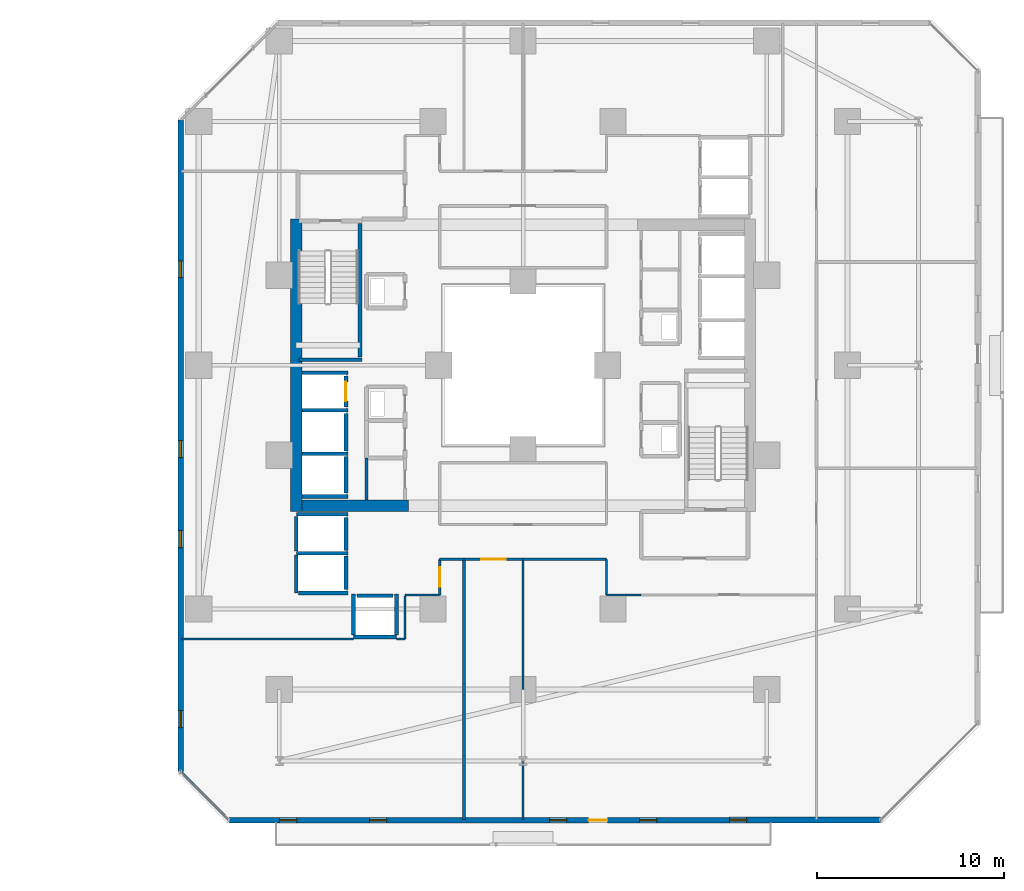
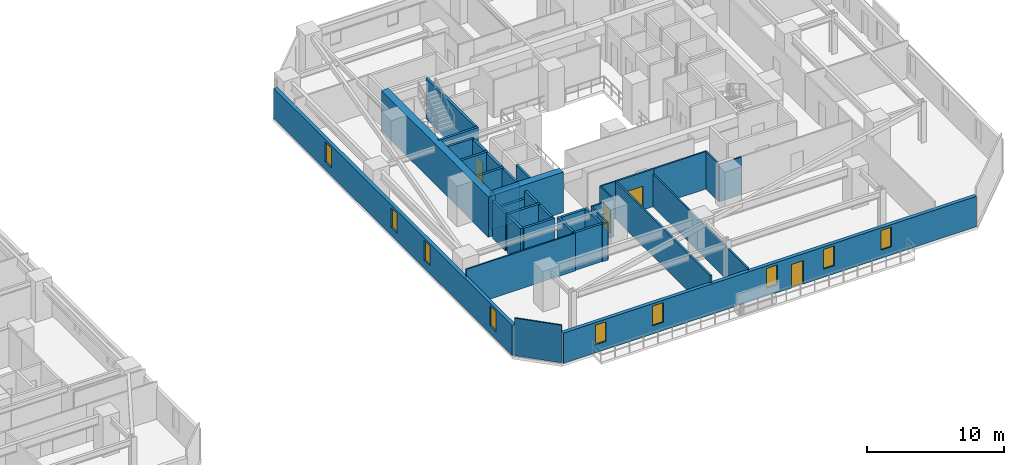
# One storey, part 22 of 33: 38 walls, 9 windows, 4 doors, 13 openings.
"""IFC4 building model written with IfcOpenShell, lengths in metres."""

from ifc_helpers import new_model, si_unit, direction, frame, frame_2d, origin, place, context, subcontext, project, spatial, rectangle, extrude, material, layer, layer_set, type_object, element, fill, save


model = new_model("IFC4")

# Units and contexts
model_context = context("Model", 3, precision=1e-05, world=origin(), true_north=direction((0.0, 1.0)))
body_context = subcontext(model_context, "Body", "Model", "MODEL_VIEW")
ifc_project = project(units=[si_unit("LENGTHUNIT", "METRE"), si_unit("AREAUNIT", "SQUARE_METRE"), si_unit("VOLUMEUNIT", "CUBIC_METRE"), si_unit("PLANEANGLEUNIT", "RADIAN"), si_unit("MASSUNIT", "GRAM", prefix="KILO")], contexts=[model_context])

# Site, building, storey
site_placement = place(None, origin())
site = spatial("IfcSite", under=ifc_project, at=site_placement, CompositionType="ELEMENT")
building_placement = place(site_placement, origin())
building = spatial("IfcBuilding", under=site, at=building_placement, Name="Thornwick Lancets Civic Towers", CompositionType="ELEMENT")
storey_placement = place(building_placement, frame((0.0, 0.0, 38.699951171875)))
storey = spatial("IfcBuildingStorey", under=building, at=storey_placement, Name="L09", CompositionType="ELEMENT", Elevation=38.699951171875)

# Wall, opening, door
ifc_material_1 = material(Name="Concrete blockwork C40/50", Category="masonry")
ifc_layer_1 = layer(ifc_material_1, 0.199951171875, Name="Concrete blockwork C40/50")
ifc_layer_set_1 = layer_set([ifc_layer_1], Name="Concrete blockwork C40/50")
wall_type_1 = type_object("IfcWallType", Name="WALL_COMP_200", PredefinedType="STANDARD", material=ifc_layer_set_1)
wall_1_placement = place(storey_placement, frame((79.050048828125, 24.780029296875, 0.0), z_axis=(0.0, 0.0, 1.0), x_axis=(0.0, 1.0, 0.0)))
wall_1 = element("IfcWall", 1, at=wall_1_placement, inside=storey, type_object=wall_type_1, Name="L09 Hoistway Front Wall FL-B2", PredefinedType="STANDARD", context=body_context, shape_type="SweptSolid", body=[
    extrude(rectangle(XDim=1.639892578125, YDim=0.199951171875, at=frame_2d((0.81982421875, 0.0))), origin(), (0.0, 0.0, 1.0), 3.340087890625),
])
opening_1_placement = place(wall_1_placement, frame((0.31005859375, 0.0, 0.0)))
opening_1 = element("IfcOpeningElement", 2, at=opening_1_placement, cuts=wall_1, Name="Opening LD-FL-B2", PredefinedType="OPENING", context=body_context, shape_type="SweptSolid", body=[
    extrude(rectangle(XDim=1.02001953125, YDim=2.06005859375, at=frame_2d((0.510009765625, 1.030029296875))), frame((0.0, 0.10986328125, 0.0), z_axis=(0.0, -1.0, 0.0), x_axis=(1.0, 0.0, 0.0)), (0.0, 0.0, 1.0), 0.219970703125),
])
ifc_material_2 = material(Name="Brushed bronze stainless steel", Category="steel")
door_type_1 = type_object("IfcDoorType", Name="DOOR_LIFT_SLIDE", OperationType="SLIDING_TO_LEFT", PredefinedType="DOOR", material=ifc_material_2)
door_1_placement = place(opening_1_placement, origin())
door_1 = element("IfcDoor", 3, at=door_1_placement, inside=storey, type_object=door_type_1, Name="L09 Sliding Lift Landing Door LD-FL-B2", OperationType="SLIDING_TO_LEFT", OverallHeight=2.06005859375, OverallWidth=1.02001953125, PredefinedType="DOOR", context=body_context, shape_type="SweptSolid", body=[
    extrude(rectangle(XDim=1.02001953125, YDim=2.06005859375, at=frame_2d((0.510009765625, 1.030029296875))), frame((0.0, 0.02490234375, 0.0), z_axis=(0.0, -1.0, 0.0), x_axis=(1.0, 0.0, 0.0)), (0.0, 0.0, 1.0), 0.050048828125),
])
fill(opening_1, door_1)

# Walls
wall_2_placement = place(storey_placement, frame((79.050048828125, 22.429931640625, 0.0), z_axis=(0.0, 0.0, 1.0), x_axis=(0.0, 1.0, 0.0)))
element("IfcWall", 4, at=wall_2_placement, inside=storey, type_object=wall_type_1, Name="L09 Hoistway Front Wall PL-BH2", PredefinedType="STANDARD", context=body_context, shape_type="SweptSolid", body=[
    extrude(rectangle(XDim=1.989990234375, YDim=0.199951171875, at=frame_2d((0.9951171875, 0.0))), origin(), (0.0, 0.0, 1.0), 3.340087890625),
])
wall_3_placement = place(storey_placement, frame((79.050048828125, 20.179931640625, 0.0), z_axis=(0.0, 0.0, 1.0), x_axis=(0.0, 1.0, 0.0)))
element("IfcWall", 5, at=wall_3_placement, inside=storey, type_object=wall_type_1, Name="L09 Hoistway Front Wall PL-BH3", PredefinedType="STANDARD", context=body_context, shape_type="SweptSolid", body=[
    extrude(rectangle(XDim=1.940185546875, YDim=0.199951171875, at=frame_2d((0.97021484375, 0.0))), origin(), (0.0, 0.0, 1.0), 3.340087890625),
])
wall_4_placement = place(storey_placement, frame((79.050048828125, 17.1298828125, 0.0), z_axis=(0.0, 0.0, 1.0), x_axis=(0.0, 1.0, 0.0)))
element("IfcWall", 6, at=wall_4_placement, inside=storey, type_object=wall_type_1, Name="L09 Hoistway Front Wall PL-BM1", PredefinedType="STANDARD", context=body_context, shape_type="SweptSolid", body=[
    extrude(rectangle(XDim=1.740234375, YDim=0.199951171875, at=frame_2d((0.8701171875, 0.0))), origin(), (0.0, 0.0, 1.0), 3.340087890625),
])
wall_5_placement = place(storey_placement, frame((79.050048828125, 15.030029296875, 0.0), z_axis=(0.0, 0.0, 1.0), x_axis=(0.0, 1.0, 0.0)))
element("IfcWall", 7, at=wall_5_placement, inside=storey, type_object=wall_type_1, Name="L09 Hoistway Front Wall PL-BM2", PredefinedType="STANDARD", context=body_context, shape_type="SweptSolid", body=[
    extrude(rectangle(XDim=1.7900390625, YDim=0.199951171875, at=frame_2d((0.89501953125, 0.0))), origin(), (0.0, 0.0, 1.0), 3.340087890625),
])
wall_6_placement = place(storey_placement, frame((79.6298828125, 14.699951171875, 0.0), z_axis=(0.0, 0.0, 1.0), x_axis=(1.0, 0.0, 0.0)))
element("IfcWall", 8, at=wall_6_placement, inside=storey, type_object=wall_type_1, Name="L09 Hoistway Front Wall PL-BM3", PredefinedType="STANDARD", context=body_context, shape_type="SweptSolid", body=[
    extrude(rectangle(XDim=1.940185546875, YDim=0.199951171875, at=frame_2d((0.97021484375, 0.0))), origin(), (0.0, 0.0, 1.0), 3.340087890625),
])
for number, where, z_axis, x_axis, name in (
    (9, (76.7119140625, 26.60009765625, 0.0), (0.0, 0.0, 1.0), (1.0, 0.0, 0.0), "L09 Hoistway Shaft Wall FL-B2 N"),
    (10, (76.7119140625, 24.60009765625, 0.0), (0.0, 0.0, 1.0), (1.0, 0.0, 0.0), "L09 Hoistway Shaft Wall FL-B2 S"),
    (11, (76.7119140625, 22.27490234375, 0.0), (0.0, 0.0, 1.0), (1.0, 0.0, 0.0), "L09 Hoistway Shaft Wall PL-BH2 S"),
    (12, (76.7119140625, 20.0, 0.0), (0.0, 0.0, 1.0), (1.0, 0.0, 0.0), "L09 Hoistway Shaft Wall PL-BH3 S"),
):
    element("IfcWall", number, at=place(storey_placement, frame(where, z_axis=z_axis, x_axis=x_axis)), inside=storey, type_object=wall_type_1, Name=name, PredefinedType="STANDARD", context=body_context, shape_type="SweptSolid", body=[
        extrude(rectangle(XDim=2.43603515625, YDim=0.199951171875, at=frame_2d((1.218017578125, 0.0))), origin(), (0.0, 0.0, 1.0), 3.340087890625),
    ])
wall_7_placement = place(storey_placement, frame((76.402099609375, 19.050048828125, 0.0), z_axis=(0.0, 0.0, 1.0), x_axis=(1.0, 0.0, 0.0)))
element("IfcWall", 13, at=wall_7_placement, inside=storey, type_object=wall_type_1, Name="L09 Hoistway Shaft Wall PL-BM1 N", PredefinedType="STANDARD", context=body_context, shape_type="SweptSolid", body=[
    extrude(rectangle(XDim=2.745849609375, YDim=0.199951171875, at=frame_2d((1.373046875, 0.0))), origin(), (0.0, 0.0, 1.0), 2.545166015625),
])
wall_8_placement = place(storey_placement, frame((76.402099609375, 16.97509765625, 0.0), z_axis=(0.0, 0.0, 1.0), x_axis=(1.0, 0.0, 0.0)))
element("IfcWall", 14, at=wall_8_placement, inside=storey, type_object=wall_type_1, Name="L09 Hoistway Shaft Wall PL-BM1 S", PredefinedType="STANDARD", context=body_context, shape_type="SweptSolid", body=[
    extrude(rectangle(XDim=2.745849609375, YDim=0.199951171875, at=frame_2d((1.373046875, 0.0))), origin(), (0.0, 0.0, 1.0), 3.340087890625),
])
wall_9_placement = place(storey_placement, frame((76.39990234375, 14.85205078125, 0.0), z_axis=(0.0, 0.0, 1.0), x_axis=(0.0, 1.0, 0.0)))
element("IfcWall", 15, at=wall_9_placement, inside=storey, type_object=wall_type_1, Name="L09 Hoistway Shaft Wall PL-BM1 W", PredefinedType="STANDARD", context=body_context, shape_type="SweptSolid", body=[
    extrude(rectangle(XDim=2.015869140625, YDim=0.199951171875, at=frame_2d((1.0078125, 0.0))), origin(), (0.0, 0.0, 1.0), 3.340087890625),
])
wall_10_placement = place(storey_placement, frame((76.39990234375, 17.08203125, 0.0), z_axis=(0.0, 0.0, 1.0), x_axis=(0.0, 1.0, 0.0)))
element("IfcWall", 16, at=wall_10_placement, inside=storey, type_object=wall_type_1, Name="L09 Hoistway Shaft Wall PL-BM1 W", PredefinedType="STANDARD", context=body_context, shape_type="SweptSolid", body=[
    extrude(rectangle(XDim=1.85595703125, YDim=0.199951171875, at=frame_2d((0.927978515625, 0.0))), origin(), (0.0, 0.0, 1.0), 3.340087890625),
])
wall_11_placement = place(storey_placement, frame((76.511962890625, 14.85009765625, 0.0), z_axis=(0.0, 0.0, 1.0), x_axis=(1.0, 0.0, 0.0)))
element("IfcWall", 17, at=wall_11_placement, inside=storey, type_object=wall_type_1, Name="L09 Hoistway Shaft Wall PL-BM2 S", PredefinedType="STANDARD", context=body_context, shape_type="SweptSolid", body=[
    extrude(rectangle(XDim=2.635986328125, YDim=0.199951171875, at=frame_2d((1.31787109375, 0.0))), origin(), (0.0, 0.0, 1.0), 3.340087890625),
])
wall_12_placement = place(storey_placement, frame((79.451904296875, 12.5, 0.0), z_axis=(0.0, 0.0, 1.0), x_axis=(1.0, 0.0, 0.0)))
element("IfcWall", 18, at=wall_12_placement, inside=storey, type_object=wall_type_1, Name="L09 Hoistway Shaft Wall PL-BM3 S", PredefinedType="STANDARD", context=body_context, shape_type="SweptSolid", body=[
    extrude(rectangle(XDim=2.296142578125, YDim=0.199951171875, at=frame_2d((1.14794921875, 0.0))), origin(), (0.0, 0.0, 1.0), 3.340087890625),
])
for number, where, z_axis, x_axis, name in (
    (19, (81.75, 12.612060546875, 0.0), (0.0, 0.0, 1.0), (0.0, 1.0, 0.0), "L09 Hoistway Shaft Wall PL-BM3 E"),
    (20, (79.449951171875, 12.612060546875, 0.0), (0.0, 0.0, 1.0), (0.0, 1.0, 0.0), "L09 Hoistway Shaft Wall PL-BM3 W"),
):
    element("IfcWall", number, at=place(storey_placement, frame(where, z_axis=z_axis, x_axis=x_axis)), inside=storey, type_object=wall_type_1, Name=name, PredefinedType="STANDARD", context=body_context, shape_type="SweptSolid", body=[
        extrude(rectangle(XDim=2.18603515625, YDim=0.199951171875, at=frame_2d((1.093017578125, 0.0))), origin(), (0.0, 0.0, 1.0), 3.340087890625),
    ])
ifc_material_3 = material(Name="Concrete C60/75", Category="concrete")
ifc_layer_2 = layer(ifc_material_3, 0.60009765625, Name="Concrete C60/75")
ifc_layer_set_2 = layer_set([ifc_layer_2], Name="Concrete C60/75")
wall_type_2 = type_object("IfcWallType", Name="WALL_CORE_600", PredefinedType="SHEAR", material=ifc_layer_set_2)
wall_13_placement = place(storey_placement, frame((76.39990234375, 19.199951171875, 0.0), z_axis=(0.0, 0.0, 1.0), x_axis=(0.0, 1.0, 0.0)))
element("IfcWall", 21, at=wall_13_placement, inside=storey, type_object=wall_type_2, Name="L09 Split Core B2 Shear Wall W", PredefinedType="SHEAR", context=body_context, shape_type="SweptSolid", body=[
    extrude(rectangle(XDim=15.60009765625, YDim=0.60009765625, at=frame_2d((7.800048828125, 0.0))), origin(), (0.0, 0.0, 1.0), 3.60009765625),
])
wall_14_placement = place(storey_placement, frame((76.699951171875, 19.5, 0.0), z_axis=(0.0, 0.0, 1.0), x_axis=(1.0, 0.0, 0.0)))
element("IfcWall", 22, at=wall_14_placement, inside=storey, type_object=wall_type_2, Name="L09 Split Core B2 Shear Wall S", PredefinedType="SHEAR", context=body_context, shape_type="SweptSolid", body=[
    extrude(rectangle(XDim=5.699951171875, YDim=0.60009765625, at=frame_2d((2.85009765625, 0.0))), origin(), (0.0, 0.0, 1.0), 3.60009765625),
])

# Wall, openings, door, windows
ifc_material_4 = material(Name="Insulated russet terracotta rainscreen on concrete C40/50", Category="masonry")
ifc_layer_3 = layer(ifc_material_4, 0.300048828125, Name="Insulated russet terracotta rainscreen on concrete C40/50")
ifc_layer_set_3 = layer_set([ifc_layer_3], Name="Insulated russet terracotta rainscreen on concrete C40/50")
wall_type_3 = type_object("IfcWallType", Name="WALL_EXT_RUSSET_300", PredefinedType="STANDARD", material=ifc_layer_set_3)
wall_15_placement = place(storey_placement, frame((72.81884765625, 2.735107421875, 0.0), z_axis=(0.0, 0.0, 1.0), x_axis=(0.999999969775, 0.000245864205, 0.0)))
wall_15 = element("IfcWall", 23, at=wall_15_placement, inside=storey, type_object=wall_type_3, Name="L09 Tower B Terracotta Facade Wall E0", PredefinedType="STANDARD", context=body_context, shape_type="SweptSolid", body=[
    extrude(rectangle(XDim=34.754638671875, YDim=0.300048828125, at=frame_2d((17.37744140625, 0.0))), origin(), (0.0, 0.0, 1.0), 2.699951171875),
])
opening_2_placement = place(wall_15_placement, frame((19.17724609375, 0.0, 0.0)))
opening_2 = element("IfcOpeningElement", 24, at=opening_2_placement, cuts=wall_15, Name="Opening D-BL-L09-BS", PredefinedType="OPENING", context=body_context, shape_type="SweptSolid", body=[
    extrude(rectangle(XDim=1.0, YDim=2.080078125, at=frame_2d((0.5, 1.0400390625))), frame((0.0, 0.16015625, 0.0), z_axis=(0.0, -1.0, 0.0), x_axis=(1.0, 0.0, 0.0)), (0.0, 0.0, 1.0), 0.320068359375),
])
opening_3_placement = place(wall_15_placement, frame((2.699951171875, 0.0, 0.719970703125)))
opening_3 = element("IfcOpeningElement", 25, at=opening_3_placement, cuts=wall_15, Name="Opening WL-01", PredefinedType="OPENING", context=body_context, shape_type="SweptSolid", body=[
    extrude(rectangle(XDim=0.89990234375, YDim=1.75, at=frame_2d((0.449951171875, 0.875))), frame((0.0, 0.16015625, 0.0), z_axis=(0.0, -1.0, 0.0), x_axis=(1.0, 0.0, 0.0)), (0.0, 0.0, 1.0), 0.320068359375),
])
opening_4_placement = place(wall_15_placement, frame((7.5, 0.0, 0.719970703125)))
opening_4 = element("IfcOpeningElement", 26, at=opening_4_placement, cuts=wall_15, Name="Opening WL-01", PredefinedType="OPENING", context=body_context, shape_type="SweptSolid", body=[
    extrude(rectangle(XDim=0.89990234375, YDim=1.75, at=frame_2d((0.449951171875, 0.875))), frame((0.0, 0.16015625, 0.0), z_axis=(0.0, -1.0, 0.0), x_axis=(1.0, 0.0, 0.0)), (0.0, 0.0, 1.0), 0.320068359375),
])
opening_5_placement = place(wall_15_placement, frame((17.10009765625, 0.0, 0.719970703125)))
opening_5 = element("IfcOpeningElement", 27, at=opening_5_placement, cuts=wall_15, Name="Opening WL-01", PredefinedType="OPENING", context=body_context, shape_type="SweptSolid", body=[
    extrude(rectangle(XDim=0.89990234375, YDim=1.75, at=frame_2d((0.449951171875, 0.875))), frame((0.0, 0.16015625, 0.0), z_axis=(0.0, -1.0, 0.0), x_axis=(1.0, 0.0, 0.0)), (0.0, 0.0, 1.0), 0.320068359375),
])
opening_6_placement = place(wall_15_placement, frame((21.89990234375, 0.0, 0.719970703125)))
opening_6 = element("IfcOpeningElement", 28, at=opening_6_placement, cuts=wall_15, Name="Opening WL-01", PredefinedType="OPENING", context=body_context, shape_type="SweptSolid", body=[
    extrude(rectangle(XDim=0.89990234375, YDim=1.75, at=frame_2d((0.449951171875, 0.875))), frame((0.0, 0.16015625, 0.0), z_axis=(0.0, -1.0, 0.0), x_axis=(1.0, 0.0, 0.0)), (0.0, 0.0, 1.0), 0.320068359375),
])
opening_7_placement = place(wall_15_placement, frame((26.699951171875, 0.0, 0.719970703125)))
opening_7 = element("IfcOpeningElement", 29, at=opening_7_placement, cuts=wall_15, Name="Opening WL-01", PredefinedType="OPENING", context=body_context, shape_type="SweptSolid", body=[
    extrude(rectangle(XDim=0.89990234375, YDim=1.75, at=frame_2d((0.449951171875, 0.875))), frame((0.0, 0.16015625, 0.0), z_axis=(0.0, -1.0, 0.0), x_axis=(1.0, 0.0, 0.0)), (0.0, 0.0, 1.0), 0.320068359375),
])
ifc_material_5 = material(Name="Thermally broken glazed loggia doorset")
door_type_2 = type_object("IfcDoorType", Name="DOOR_BALC_1000", OperationType="NOTDEFINED", PredefinedType="DOOR", material=ifc_material_5)
door_2_placement = place(opening_2_placement, origin())
door_2 = element("IfcDoor", 30, at=door_2_placement, inside=storey, type_object=door_type_2, Name="L09 Tower B Loggia Balcony Door S", OperationType="SINGLE_SWING_RIGHT", OverallHeight=2.080078125, OverallWidth=1.0, PredefinedType="DOOR", context=body_context, shape_type="SweptSolid", body=[
    extrude(rectangle(XDim=1.0, YDim=2.080078125, at=frame_2d((0.5, 1.0400390625))), frame((0.0, 0.02490234375, 0.0), z_axis=(0.0, -1.0, 0.0), x_axis=(1.0, 0.0, 0.0)), (0.0, 0.0, 1.0), 0.050048828125),
])
fill(opening_2, door_2)
ifc_material_6 = material(Name="Clear low-e double glazing in bronze frame", Category="glass")
window_type = type_object("IfcWindowType", Name="WIN_LANCET_900", PartitioningType="SINGLE_PANEL", PredefinedType="WINDOW", material=ifc_material_6)
window_1_placement = place(opening_3_placement, origin())
window_1 = element("IfcWindow", 31, at=window_1_placement, inside=storey, type_object=window_type, Name="L09 Tower B Staggered Lancet Window E0-1", OverallHeight=1.75, OverallWidth=0.89990234375, PartitioningType="SINGLE_PANEL", PredefinedType="WINDOW", context=body_context, shape_type="SweptSolid", body=[
    extrude(rectangle(XDim=0.89990234375, YDim=1.75, at=frame_2d((0.449951171875, 0.875))), frame((0.0, 0.030029296875, 0.0), z_axis=(0.0, -1.0, 0.0), x_axis=(1.0, 0.0, 0.0)), (0.0, 0.0, 1.0), 0.06005859375),
])
fill(opening_3, window_1)
window_2_placement = place(opening_4_placement, origin())
window_2 = element("IfcWindow", 32, at=window_2_placement, inside=storey, type_object=window_type, Name="L09 Tower B Staggered Lancet Window E0-2", OverallHeight=1.75, OverallWidth=0.89990234375, PartitioningType="SINGLE_PANEL", PredefinedType="WINDOW", context=body_context, shape_type="SweptSolid", body=[
    extrude(rectangle(XDim=0.89990234375, YDim=1.75, at=frame_2d((0.449951171875, 0.875))), frame((0.0, 0.030029296875, 0.0), z_axis=(0.0, -1.0, 0.0), x_axis=(1.0, 0.0, 0.0)), (0.0, 0.0, 1.0), 0.06005859375),
])
fill(opening_4, window_2)
window_3_placement = place(opening_5_placement, origin())
window_3 = element("IfcWindow", 33, at=window_3_placement, inside=storey, type_object=window_type, Name="L09 Tower B Staggered Lancet Window E0-3", OverallHeight=1.75, OverallWidth=0.89990234375, PartitioningType="SINGLE_PANEL", PredefinedType="WINDOW", context=body_context, shape_type="SweptSolid", body=[
    extrude(rectangle(XDim=0.89990234375, YDim=1.75, at=frame_2d((0.449951171875, 0.875))), frame((0.0, 0.030029296875, 0.0), z_axis=(0.0, -1.0, 0.0), x_axis=(1.0, 0.0, 0.0)), (0.0, 0.0, 1.0), 0.06005859375),
])
fill(opening_5, window_3)
window_4_placement = place(opening_6_placement, origin())
window_4 = element("IfcWindow", 34, at=window_4_placement, inside=storey, type_object=window_type, Name="L09 Tower B Staggered Lancet Window E0-4", OverallHeight=1.75, OverallWidth=0.89990234375, PartitioningType="SINGLE_PANEL", PredefinedType="WINDOW", context=body_context, shape_type="SweptSolid", body=[
    extrude(rectangle(XDim=0.89990234375, YDim=1.75, at=frame_2d((0.449951171875, 0.875))), frame((0.0, 0.030029296875, 0.0), z_axis=(0.0, -1.0, 0.0), x_axis=(1.0, 0.0, 0.0)), (0.0, 0.0, 1.0), 0.06005859375),
])
fill(opening_6, window_4)
window_5_placement = place(opening_7_placement, origin())
window_5 = element("IfcWindow", 35, at=window_5_placement, inside=storey, type_object=window_type, Name="L09 Tower B Staggered Lancet Window E0-5", OverallHeight=1.75, OverallWidth=0.89990234375, PartitioningType="SINGLE_PANEL", PredefinedType="WINDOW", context=body_context, shape_type="SweptSolid", body=[
    extrude(rectangle(XDim=0.89990234375, YDim=1.75, at=frame_2d((0.449951171875, 0.875))), frame((0.0, 0.030029296875, 0.0), z_axis=(0.0, -1.0, 0.0), x_axis=(1.0, 0.0, 0.0)), (0.0, 0.0, 1.0), 0.06005859375),
])
fill(opening_7, window_5)

# Wall, openings, windows
wall_16_placement = place(storey_placement, frame((70.24365234375, 40.073486328125, 0.0), z_axis=(0.0, 0.0, 1.0), x_axis=(-0.000245864205, -0.999999969775, 0.0)))
wall_16 = element("IfcWall", 36, at=wall_16_placement, inside=storey, type_object=wall_type_3, Name="L09 Tower B Terracotta Facade Wall E6", PredefinedType="STANDARD", context=body_context, shape_type="SweptSolid", body=[
    extrude(rectangle(XDim=34.754638671875, YDim=0.300048828125, at=frame_2d((17.37744140625, 0.0))), origin(), (0.0, 0.0, 1.0), 2.699951171875),
])
opening_8_placement = place(wall_16_placement, frame((7.5, 0.0, 0.719970703125)))
opening_8 = element("IfcOpeningElement", 37, at=opening_8_placement, cuts=wall_16, Name="Opening WL-01", PredefinedType="OPENING", context=body_context, shape_type="SweptSolid", body=[
    extrude(rectangle(XDim=0.89990234375, YDim=1.75, at=frame_2d((0.449951171875, 0.875))), frame((0.0, 0.16015625, 0.0), z_axis=(0.0, -1.0, 0.0), x_axis=(1.0, 0.0, 0.0)), (0.0, 0.0, 1.0), 0.320068359375),
])
opening_9_placement = place(wall_16_placement, frame((17.10009765625, 0.0, 0.719970703125)))
opening_9 = element("IfcOpeningElement", 38, at=opening_9_placement, cuts=wall_16, Name="Opening WL-01", PredefinedType="OPENING", context=body_context, shape_type="SweptSolid", body=[
    extrude(rectangle(XDim=0.89990234375, YDim=1.75, at=frame_2d((0.449951171875, 0.875))), frame((0.0, 0.16015625, 0.0), z_axis=(0.0, -1.0, 0.0), x_axis=(1.0, 0.0, 0.0)), (0.0, 0.0, 1.0), 0.320068359375),
])
opening_10_placement = place(wall_16_placement, frame((21.89990234375, 0.0, 0.719970703125)))
opening_10 = element("IfcOpeningElement", 39, at=opening_10_placement, cuts=wall_16, Name="Opening WL-01", PredefinedType="OPENING", context=body_context, shape_type="SweptSolid", body=[
    extrude(rectangle(XDim=0.89990234375, YDim=1.75, at=frame_2d((0.449951171875, 0.875))), frame((0.0, 0.16015625, 0.0), z_axis=(0.0, -1.0, 0.0), x_axis=(1.0, 0.0, 0.0)), (0.0, 0.0, 1.0), 0.320068359375),
])
opening_11_placement = place(wall_16_placement, frame((31.5, 0.0, 0.719970703125)))
opening_11 = element("IfcOpeningElement", 40, at=opening_11_placement, cuts=wall_16, Name="Opening WL-01", PredefinedType="OPENING", context=body_context, shape_type="SweptSolid", body=[
    extrude(rectangle(XDim=0.89990234375, YDim=1.75, at=frame_2d((0.449951171875, 0.875))), frame((0.0, 0.16015625, 0.0), z_axis=(0.0, -1.0, 0.0), x_axis=(1.0, 0.0, 0.0)), (0.0, 0.0, 1.0), 0.320068359375),
])
window_6_placement = place(opening_8_placement, origin())
window_6 = element("IfcWindow", 41, at=window_6_placement, inside=storey, type_object=window_type, Name="L09 Tower B Staggered Lancet Window E6-1", OverallHeight=1.75, OverallWidth=0.89990234375, PartitioningType="SINGLE_PANEL", PredefinedType="WINDOW", context=body_context, shape_type="SweptSolid", body=[
    extrude(rectangle(XDim=0.89990234375, YDim=1.75, at=frame_2d((0.449951171875, 0.875))), frame((0.0, 0.030029296875, 0.0), z_axis=(0.0, -1.0, 0.0), x_axis=(1.0, 0.0, 0.0)), (0.0, 0.0, 1.0), 0.06005859375),
])
fill(opening_8, window_6)
window_7_placement = place(opening_9_placement, origin())
window_7 = element("IfcWindow", 42, at=window_7_placement, inside=storey, type_object=window_type, Name="L09 Tower B Staggered Lancet Window E6-2", OverallHeight=1.75, OverallWidth=0.89990234375, PartitioningType="SINGLE_PANEL", PredefinedType="WINDOW", context=body_context, shape_type="SweptSolid", body=[
    extrude(rectangle(XDim=0.89990234375, YDim=1.75, at=frame_2d((0.449951171875, 0.875))), frame((0.0, 0.030029296875, 0.0), z_axis=(0.0, -1.0, 0.0), x_axis=(1.0, 0.0, 0.0)), (0.0, 0.0, 1.0), 0.06005859375),
])
fill(opening_9, window_7)
window_8_placement = place(opening_10_placement, origin())
window_8 = element("IfcWindow", 43, at=window_8_placement, inside=storey, type_object=window_type, Name="L09 Tower B Staggered Lancet Window E6-3", OverallHeight=1.75, OverallWidth=0.89990234375, PartitioningType="SINGLE_PANEL", PredefinedType="WINDOW", context=body_context, shape_type="SweptSolid", body=[
    extrude(rectangle(XDim=0.89990234375, YDim=1.75, at=frame_2d((0.449951171875, 0.875))), frame((0.0, 0.030029296875, 0.0), z_axis=(0.0, -1.0, 0.0), x_axis=(1.0, 0.0, 0.0)), (0.0, 0.0, 1.0), 0.06005859375),
])
fill(opening_10, window_8)
window_9_placement = place(opening_11_placement, origin())
window_9 = element("IfcWindow", 44, at=window_9_placement, inside=storey, type_object=window_type, Name="L09 Tower B Staggered Lancet Window E6-4", OverallHeight=1.75, OverallWidth=0.89990234375, PartitioningType="SINGLE_PANEL", PredefinedType="WINDOW", context=body_context, shape_type="SweptSolid", body=[
    extrude(rectangle(XDim=0.89990234375, YDim=1.75, at=frame_2d((0.449951171875, 0.875))), frame((0.0, 0.030029296875, 0.0), z_axis=(0.0, -1.0, 0.0), x_axis=(1.0, 0.0, 0.0)), (0.0, 0.0, 1.0), 0.06005859375),
])
fill(opening_11, window_9)

# Walls
ifc_material_7 = material(Name="Acoustic gypsum board partition")
ifc_layer_4 = layer(ifc_material_7, 0.1201171875, Name="Acoustic gypsum board partition")
ifc_layer_set_4 = layer_set([ifc_layer_4], Name="Acoustic gypsum board partition")
wall_type_4 = type_object("IfcWallType", Name="WALL_PART_120", PredefinedType="PARTITIONING", material=ifc_layer_set_4)
wall_17_placement = place(storey_placement, frame((92.949951171875, 16.64990234375, 0.0), z_axis=(0.0, 0.0, 1.0), x_axis=(0.0, -1.0, 0.0)))
element("IfcWall", 45, at=wall_17_placement, inside=storey, type_object=wall_type_4, Name="L09 Partition L09-B-W1 E1", PredefinedType="PARTITIONING", context=body_context, shape_type="SweptSolid", body=[
    extrude(rectangle(XDim=1.89990234375, YDim=0.1201171875, at=frame_2d((0.949951171875, 0.0))), origin(), (0.0, 0.0, 1.0), 3.340087890625),
])
wall_18_placement = place(storey_placement, frame((92.949951171875, 14.75, 0.0), z_axis=(0.0, 0.0, 1.0), x_axis=(1.0, 0.0, 0.0)))
element("IfcWall", 46, at=wall_18_placement, inside=storey, type_object=wall_type_4, Name="L09 Partition L09-B-W1 E2", PredefinedType="PARTITIONING", context=body_context, shape_type="SweptSolid", body=[
    extrude(rectangle(XDim=1.85009765625, YDim=0.1201171875, at=frame_2d((0.925048828125, 0.0))), origin(), (0.0, 0.0, 1.0), 3.340087890625),
])
wall_19_placement = place(storey_placement, frame((88.5, 2.780029296875, 0.0), z_axis=(0.0, 0.0, 1.0), x_axis=(0.0, 1.0, 0.0)))
element("IfcWall", 47, at=wall_19_placement, inside=storey, type_object=wall_type_4, Name="L09 Partition L09-B-W1 E6", PredefinedType="PARTITIONING", context=body_context, shape_type="SweptSolid", body=[
    extrude(rectangle(XDim=13.869873046875, YDim=0.1201171875, at=frame_2d((6.93505859375, 0.0))), origin(), (0.0, 0.0, 1.0), 2.881591796875),
])
wall_20_placement = place(storey_placement, frame((88.5, 16.64990234375, 0.0), z_axis=(0.0, 0.0, 1.0), x_axis=(1.0, 0.0, 0.0)))
element("IfcWall", 48, at=wall_20_placement, inside=storey, type_object=wall_type_4, Name="L09 Partition L09-B-W1 E7", PredefinedType="PARTITIONING", context=body_context, shape_type="SweptSolid", body=[
    extrude(rectangle(XDim=4.449951171875, YDim=0.1201171875, at=frame_2d((2.22509765625, 0.0))), origin(), (0.0, 0.0, 1.0), 3.340087890625),
])
wall_21_placement = place(storey_placement, frame((82.199951171875, 14.75, 0.0), z_axis=(0.0, 0.0, 1.0), x_axis=(1.0, 0.0, 0.0)))
element("IfcWall", 49, at=wall_21_placement, inside=storey, type_object=wall_type_4, Name="L09 Partition L09-B-W3 E2", PredefinedType="PARTITIONING", context=body_context, shape_type="SweptSolid", body=[
    extrude(rectangle(XDim=1.85009765625, YDim=0.1201171875, at=frame_2d((0.925048828125, 0.0))), origin(), (0.0, 0.0, 1.0), 3.340087890625),
])

# Wall, opening, door
wall_22_placement = place(storey_placement, frame((84.050048828125, 14.75, 0.0), z_axis=(0.0, 0.0, 1.0), x_axis=(0.0, 1.0, 0.0)))
wall_22 = element("IfcWall", 50, at=wall_22_placement, inside=storey, type_object=wall_type_4, Name="L09 Partition L09-B-W3 E3", PredefinedType="PARTITIONING", context=body_context, shape_type="SweptSolid", body=[
    extrude(rectangle(XDim=1.89990234375, YDim=0.1201171875, at=frame_2d((0.949951171875, 0.0))), origin(), (0.0, 0.0, 1.0), 3.340087890625),
])
opening_12_placement = place(wall_22_placement, frame((0.425048828125, 0.0, 0.0)))
opening_12 = element("IfcOpeningElement", 51, at=opening_12_placement, cuts=wall_22, Name="Opening D-L09-0474", PredefinedType="OPENING", context=body_context, shape_type="SweptSolid", body=[
    extrude(rectangle(XDim=1.050048828125, YDim=2.10009765625, at=frame_2d((0.52490234375, 1.050048828125))), frame((0.0, 0.070068359375, 0.0), z_axis=(0.0, -1.0, 0.0), x_axis=(1.0, 0.0, 0.0)), (0.0, 0.0, 1.0), 0.14013671875),
])
ifc_material_8 = material(Name="Glazed European oak executive doorset")
door_type_3 = type_object("IfcDoorType", Name="DOOR_OFFICE_1050", OperationType="NOTDEFINED", PredefinedType="DOOR", material=ifc_material_8)
door_3_placement = place(opening_12_placement, origin())
door_3 = element("IfcDoor", 52, at=door_3_placement, inside=storey, type_object=door_type_3, Name="L09 Tower B Staff Tea Pantry and Lounge Door", OperationType="SINGLE_SWING_LEFT", OverallHeight=2.10009765625, OverallWidth=1.050048828125, PredefinedType="DOOR", context=body_context, shape_type="SweptSolid", body=[
    extrude(rectangle(XDim=1.050048828125, YDim=2.10009765625, at=frame_2d((0.52490234375, 1.050048828125))), frame((0.0, 0.02490234375, 0.0), z_axis=(0.0, -1.0, 0.0), x_axis=(1.0, 0.0, 0.0)), (0.0, 0.0, 1.0), 0.050048828125),
])
fill(opening_12, door_3)

# Walls
wall_23_placement = place(storey_placement, frame((84.050048828125, 16.64990234375, 0.0), z_axis=(0.0, 0.0, 1.0), x_axis=(1.0, 0.0, 0.0)))
element("IfcWall", 53, at=wall_23_placement, inside=storey, type_object=wall_type_4, Name="L09 Partition L09-B-W3 E4", PredefinedType="PARTITIONING", context=body_context, shape_type="SweptSolid", body=[
    extrude(rectangle(XDim=1.300048828125, YDim=0.1201171875, at=frame_2d((0.64990234375, 0.0))), origin(), (0.0, 0.0, 1.0), 3.340087890625),
])
wall_24_placement = place(storey_placement, frame((72.774658203125, 2.780029296875, 0.0), z_axis=(0.0, 0.0, 1.0), x_axis=(-0.707106781187, 0.707106781187, 0.0)))
element("IfcWall", 54, at=wall_24_placement, inside=storey, type_object=wall_type_4, Name="L09 Partition L09-B-W3 E7", PredefinedType="PARTITIONING", context=body_context, shape_type="SweptSolid", body=[
    extrude(rectangle(XDim=3.52783203125, YDim=0.1201171875, at=frame_2d((1.763916015625, 0.0))), origin(), (0.0, 0.0, 1.0), 3.340087890625),
])
wall_25_placement = place(storey_placement, frame((70.280029296875, 12.39990234375, 0.0), z_axis=(0.0, 0.0, 1.0), x_axis=(1.0, 0.0, 0.0)))
element("IfcWall", 55, at=wall_25_placement, inside=storey, type_object=wall_type_4, Name="L09 Partition L09-B-W3 E9", PredefinedType="PARTITIONING", context=body_context, shape_type="SweptSolid", body=[
    extrude(rectangle(XDim=9.171875, YDim=0.1201171875, at=frame_2d((4.5859375, 0.0))), origin(), (0.0, 0.0, 1.0), 3.340087890625),
])
wall_26_placement = place(storey_placement, frame((81.748046875, 12.39990234375, 0.0), z_axis=(0.0, 0.0, 1.0), x_axis=(1.0, 0.0, 0.0)))
element("IfcWall", 56, at=wall_26_placement, inside=storey, type_object=wall_type_4, Name="L09 Partition L09-B-W3 E9", PredefinedType="PARTITIONING", context=body_context, shape_type="SweptSolid", body=[
    extrude(rectangle(XDim=0.451904296875, YDim=0.1201171875, at=frame_2d((0.22607421875, 0.0))), origin(), (0.0, 0.0, 1.0), 3.340087890625),
])
wall_27_placement = place(storey_placement, frame((82.199951171875, 12.39990234375, 0.0), z_axis=(0.0, 0.0, 1.0), x_axis=(0.0, 1.0, 0.0)))
element("IfcWall", 57, at=wall_27_placement, inside=storey, type_object=wall_type_4, Name="L09 Partition L09-B-W3 E10", PredefinedType="PARTITIONING", context=body_context, shape_type="SweptSolid", body=[
    extrude(rectangle(XDim=2.300048828125, YDim=0.1201171875, at=frame_2d((1.14990234375, 0.0))), origin(), (0.0, 0.0, 1.0), 3.340087890625),
])
ifc_material_9 = material(Name="Twin-stud acoustic gypsum board")
ifc_layer_5 = layer(ifc_material_9, 0.14990234375, Name="Twin-stud acoustic gypsum board")
ifc_layer_set_5 = layer_set([ifc_layer_5], Name="Twin-stud acoustic gypsum board")
wall_type_5 = type_object("IfcWallType", Name="WALL_PART_150", PredefinedType="PARTITIONING", material=ifc_layer_set_5)
wall_28_placement = place(storey_placement, frame((80.14990234375, 22.050048828125, 0.0), z_axis=(0.0, 0.0, 1.0), x_axis=(0.0, -1.0, 0.0)))
element("IfcWall", 58, at=wall_28_placement, inside=storey, type_object=wall_type_5, Name="L09 Partition L09-B-AWC E4", PredefinedType="PARTITIONING", context=body_context, shape_type="SweptSolid", body=[
    extrude(rectangle(XDim=2.25, YDim=0.14990234375, at=frame_2d((1.125, 0.0))), origin(), (0.0, 0.0, 1.0), 3.340087890625),
])
wall_29_placement = place(storey_placement, frame((85.35009765625, 2.780029296875, 0.0), z_axis=(0.0, 0.0, 1.0), x_axis=(0.0, 1.0, 0.0)))
element("IfcWall", 59, at=wall_29_placement, inside=storey, type_object=wall_type_5, Name="L09 Partition L09-B-W2 E3", PredefinedType="PARTITIONING", context=body_context, shape_type="SweptSolid", body=[
    extrude(rectangle(XDim=13.869873046875, YDim=0.14990234375, at=frame_2d((6.93505859375, 0.0))), origin(), (0.0, 0.0, 1.0), 3.340087890625),
])

# Wall, opening, door
wall_30_placement = place(storey_placement, frame((85.35009765625, 16.64990234375, 0.0), z_axis=(0.0, 0.0, 1.0), x_axis=(1.0, 0.0, 0.0)))
wall_30 = element("IfcWall", 60, at=wall_30_placement, inside=storey, type_object=wall_type_5, Name="L09 Partition L09-B-W2 E4", PredefinedType="PARTITIONING", context=body_context, shape_type="SweptSolid", body=[
    extrude(rectangle(XDim=3.14990234375, YDim=0.14990234375, at=frame_2d((1.574951171875, 0.0))), origin(), (0.0, 0.0, 1.0), 3.340087890625),
])
opening_13_placement = place(wall_30_placement, frame((0.925048828125, 0.0, 0.0)))
opening_13 = element("IfcOpeningElement", 61, at=opening_13_placement, cuts=wall_30, Name="Opening D-L09-0473", PredefinedType="OPENING", context=body_context, shape_type="SweptSolid", body=[
    extrude(rectangle(XDim=1.300048828125, YDim=2.1201171875, at=frame_2d((0.64990234375, 1.06005859375))), frame((0.0, 0.0849609375, 0.0), z_axis=(0.0, -1.0, 0.0), x_axis=(1.0, 0.0, 0.0)), (0.0, 0.0, 1.0), 0.169921875),
])
ifc_material_10 = material(Name="Acoustic oak leaf-and-a-half doorset")
door_type_4 = type_object("IfcDoorType", Name="DOOR_MEET_1300", OperationType="DOUBLE_DOOR_SINGLE_SWING", PredefinedType="DOOR", material=ifc_material_10)
door_4_placement = place(opening_13_placement, origin())
door_4 = element("IfcDoor", 62, at=door_4_placement, inside=storey, type_object=door_type_4, Name="L09 Tower B Policy Briefing Room W2 Door", OperationType="DOUBLE_DOOR_SINGLE_SWING", OverallHeight=2.1201171875, OverallWidth=1.300048828125, PredefinedType="DOOR", context=body_context, shape_type="SweptSolid", body=[
    extrude(rectangle(XDim=1.300048828125, YDim=2.1201171875, at=frame_2d((0.64990234375, 1.06005859375))), frame((0.0, 0.02490234375, 0.0), z_axis=(0.0, -1.0, 0.0), x_axis=(1.0, 0.0, 0.0)), (0.0, 0.0, 1.0), 0.050048828125),
])
fill(opening_13, door_4)

# Walls
ifc_material_11 = material(Name="Concrete C40/50", Category="concrete")
ifc_layer_6 = layer(ifc_material_11, 0.199951171875, Name="Concrete C40/50")
ifc_layer_set_6 = layer_set([ifc_layer_6], Name="Concrete C40/50")
wall_type_6 = type_object("IfcWallType", Name="WALL_SHAFT_200", PredefinedType="SHEAR", material=ifc_layer_set_6)
wall_31_placement = place(storey_placement, frame((79.89990234375, 27.300048828125, 0.0), z_axis=(0.0, 0.0, 1.0), x_axis=(-1.0, 0.0, 0.0)))
element("IfcWall", 63, at=wall_31_placement, inside=storey, type_object=wall_type_6, Name="L09 ST-B2 Fire Stair Core Wall FAR", PredefinedType="SHEAR", context=body_context, shape_type="SweptSolid", body=[
    extrude(rectangle(XDim=3.349853515625, YDim=0.199951171875, at=frame_2d((1.6748046875, 0.0))), origin(), (0.0, 0.0, 1.0), 3.60009765625),
])
wall_32_placement = place(storey_placement, frame((79.797119140625, 27.449951171875, 0.0), z_axis=(0.0, 0.0, 1.0), x_axis=(0.0, 1.0, 0.0)))
element("IfcWall", 64, at=wall_32_placement, inside=storey, type_object=wall_type_6, Name="L09 ST-B2 Fire Stair Core Wall RIGHT", PredefinedType="SHEAR", context=body_context, shape_type="SweptSolid", body=[
    extrude(rectangle(XDim=7.10009765625, YDim=0.199951171875, at=frame_2d((3.550048828125, 0.0))), origin(), (0.0, 0.0, 1.0), 3.60009765625),
])

save(model, "model.ifc")
